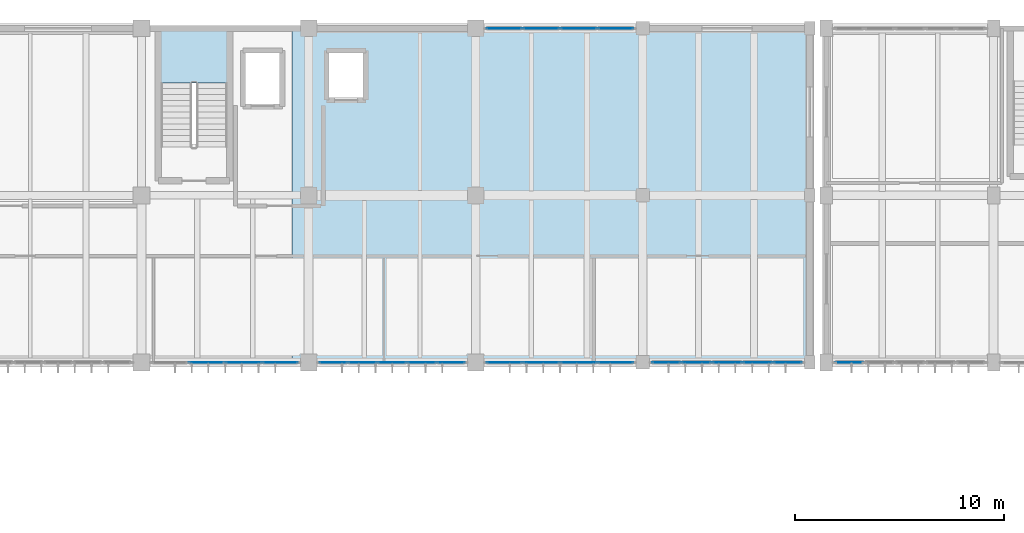
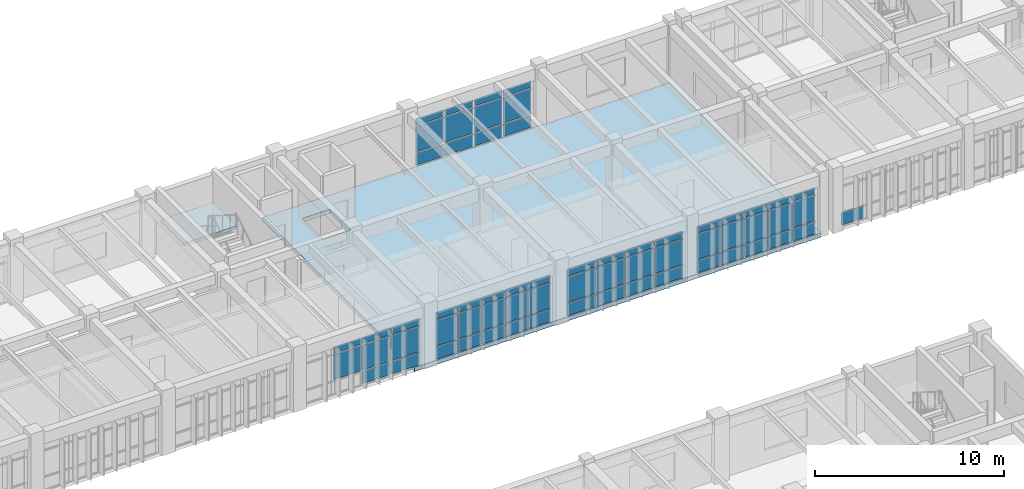
# One storey, part 36 of 67: 63 plates, 2 slabs, 7 elements without a shape of their own.
"""IFC4 building model written with IfcOpenShell, lengths in metres."""

from ifc_helpers import new_model, si_unit, direction, frame, origin, origin_2d, place, context, subcontext, project, spatial, polyline, rectangle, outline, extrude, material, layer, layer_set, type_object, element, aggregate, save


model = new_model("IFC4")

# Units and contexts
model_context = context("Model", 3, precision=1e-05, world=origin(), true_north=direction((0.0, 1.0)))
body_context = subcontext(model_context, "Body", "Model", "MODEL_VIEW")
ifc_project = project(units=[si_unit("LENGTHUNIT", "METRE"), si_unit("AREAUNIT", "SQUARE_METRE"), si_unit("VOLUMEUNIT", "CUBIC_METRE"), si_unit("PLANEANGLEUNIT", "RADIAN"), si_unit("MASSUNIT", "GRAM", prefix="KILO")], contexts=[model_context])

# Site, building, storey
site_placement = place(None, origin())
site = spatial("IfcSite", under=ifc_project, at=site_placement, CompositionType="ELEMENT")
building_placement = place(site_placement, origin())
building = spatial("IfcBuilding", under=site, at=building_placement, Name="Tlaxcora Railside Police Headquarters", CompositionType="ELEMENT")
storey_placement = place(building_placement, frame((0.0, 0.0, 4.800048828125)))
storey = spatial("IfcBuildingStorey", under=building, at=storey_placement, Name="L01", CompositionType="ELEMENT", Elevation=4.800048828125)

# Curtain wall, plates
ifc_material_1 = material(Name="Thermally broken low-E insulated glazing", Category="glass")
curtain_wall_type_1 = type_object("IfcCurtainWallType", Name="Unitised Curtain Wall Assembly CW-23", PredefinedType="NOTDEFINED", material=ifc_material_1)
curtain_wall_1_placement = place(storey_placement, origin())
curtain_wall_1 = element("IfcCurtainWall", 1, at=curtain_wall_1_placement, inside=storey, type_object=curtain_wall_type_1, Name="V5 L01 curtain wall 40", PredefinedType="NOTDEFINED")
ifc_layer_1 = layer(ifc_material_1, 0.0400390625, Name="Thermally broken low-E insulated glazing")
ifc_layer_set_1 = layer_set([ifc_layer_1], Name="Thermally broken low-E insulated glazing")
plate_type_1 = type_object("IfcPlateType", Name="Curtain Wall Infill Panel CW-17", PredefinedType="CURTAIN_PANEL", material=ifc_layer_set_1)
plate_1_placement = place(storey_placement, frame((95.12744140625, 76.800048828125, 0.080078125), z_axis=(0.0, 0.0, 1.0), x_axis=(1.0, 0.0, 0.0)))
plate_1 = element("IfcPlate", 2, at=plate_1_placement, type_object=plate_type_1, Name="CW panel 1.1", PredefinedType="CURTAIN_PANEL", context=body_context, shape_type="SweptSolid", body=[
    extrude(rectangle(XDim=1.344970703125, YDim=0.0400390625, at=origin_2d()), origin(), (0.0, 0.0, 1.0), 0.780029296875),
])
plate_2_placement = place(storey_placement, frame((95.12744140625, 76.800048828125, 0.93994140625), z_axis=(0.0, 0.0, 1.0), x_axis=(1.0, 0.0, 0.0)))
plate_2 = element("IfcPlate", 3, at=plate_2_placement, type_object=plate_type_1, Name="CW panel 1.2", PredefinedType="CURTAIN_PANEL", context=body_context, shape_type="SweptSolid", body=[
    extrude(rectangle(XDim=1.344970703125, YDim=0.0400390625, at=origin_2d()), origin(), (0.0, 0.0, 1.0), 1.6298828125),
])
plate_3_placement = place(storey_placement, frame((95.12744140625, 76.800048828125, 2.64990234375), z_axis=(0.0, 0.0, 1.0), x_axis=(1.0, 0.0, 0.0)))
plate_3 = element("IfcPlate", 4, at=plate_3_placement, type_object=plate_type_1, Name="CW panel 1.3", PredefinedType="CURTAIN_PANEL", context=body_context, shape_type="SweptSolid", body=[
    extrude(rectangle(XDim=1.344970703125, YDim=0.0400390625, at=origin_2d()), origin(), (0.0, 0.0, 1.0), 0.409912109375),
])
plate_4_placement = place(storey_placement, frame((96.572509765625, 76.800048828125, 0.080078125), z_axis=(0.0, 0.0, 1.0), x_axis=(1.0, 0.0, 0.0)))
plate_4 = element("IfcPlate", 5, at=plate_4_placement, type_object=plate_type_1, Name="CW panel 2.1", PredefinedType="CURTAIN_PANEL", context=body_context, shape_type="SweptSolid", body=[
    extrude(rectangle(XDim=1.385009765625, YDim=0.0400390625, at=origin_2d()), origin(), (0.0, 0.0, 1.0), 0.780029296875),
])
plate_5_placement = place(storey_placement, frame((96.572509765625, 76.800048828125, 0.93994140625), z_axis=(0.0, 0.0, 1.0), x_axis=(1.0, 0.0, 0.0)))
plate_5 = element("IfcPlate", 6, at=plate_5_placement, type_object=plate_type_1, Name="CW panel 2.2", PredefinedType="CURTAIN_PANEL", context=body_context, shape_type="SweptSolid", body=[
    extrude(rectangle(XDim=1.385009765625, YDim=0.0400390625, at=origin_2d()), origin(), (0.0, 0.0, 1.0), 1.6298828125),
])
plate_6_placement = place(storey_placement, frame((96.572509765625, 76.800048828125, 2.64990234375), z_axis=(0.0, 0.0, 1.0), x_axis=(1.0, 0.0, 0.0)))
plate_6 = element("IfcPlate", 7, at=plate_6_placement, type_object=plate_type_1, Name="CW panel 2.3", PredefinedType="CURTAIN_PANEL", context=body_context, shape_type="SweptSolid", body=[
    extrude(rectangle(XDim=1.385009765625, YDim=0.0400390625, at=origin_2d()), origin(), (0.0, 0.0, 1.0), 0.409912109375),
])
plate_7_placement = place(storey_placement, frame((98.03759765625, 76.800048828125, 0.080078125), z_axis=(0.0, 0.0, 1.0), x_axis=(1.0, 0.0, 0.0)))
plate_7 = element("IfcPlate", 8, at=plate_7_placement, type_object=plate_type_1, Name="CW panel 3.1", PredefinedType="CURTAIN_PANEL", context=body_context, shape_type="SweptSolid", body=[
    extrude(rectangle(XDim=1.385009765625, YDim=0.0400390625, at=origin_2d()), origin(), (0.0, 0.0, 1.0), 0.780029296875),
])
plate_8_placement = place(storey_placement, frame((98.03759765625, 76.800048828125, 0.93994140625), z_axis=(0.0, 0.0, 1.0), x_axis=(1.0, 0.0, 0.0)))
plate_8 = element("IfcPlate", 9, at=plate_8_placement, type_object=plate_type_1, Name="CW panel 3.2", PredefinedType="CURTAIN_PANEL", context=body_context, shape_type="SweptSolid", body=[
    extrude(rectangle(XDim=1.385009765625, YDim=0.0400390625, at=origin_2d()), origin(), (0.0, 0.0, 1.0), 1.6298828125),
])
plate_9_placement = place(storey_placement, frame((98.03759765625, 76.800048828125, 2.64990234375), z_axis=(0.0, 0.0, 1.0), x_axis=(1.0, 0.0, 0.0)))
plate_9 = element("IfcPlate", 10, at=plate_9_placement, type_object=plate_type_1, Name="CW panel 3.3", PredefinedType="CURTAIN_PANEL", context=body_context, shape_type="SweptSolid", body=[
    extrude(rectangle(XDim=1.385009765625, YDim=0.0400390625, at=origin_2d()), origin(), (0.0, 0.0, 1.0), 0.409912109375),
])
plate_10_placement = place(storey_placement, frame((99.50244140625, 76.800048828125, 0.080078125), z_axis=(0.0, 0.0, 1.0), x_axis=(1.0, 0.0, 0.0)))
plate_10 = element("IfcPlate", 11, at=plate_10_placement, type_object=plate_type_1, Name="CW panel 4.1", PredefinedType="CURTAIN_PANEL", context=body_context, shape_type="SweptSolid", body=[
    extrude(rectangle(XDim=1.385009765625, YDim=0.0400390625, at=origin_2d()), origin(), (0.0, 0.0, 1.0), 0.780029296875),
])
plate_11_placement = place(storey_placement, frame((99.50244140625, 76.800048828125, 0.93994140625), z_axis=(0.0, 0.0, 1.0), x_axis=(1.0, 0.0, 0.0)))
plate_11 = element("IfcPlate", 12, at=plate_11_placement, type_object=plate_type_1, Name="CW panel 4.2", PredefinedType="CURTAIN_PANEL", context=body_context, shape_type="SweptSolid", body=[
    extrude(rectangle(XDim=1.385009765625, YDim=0.0400390625, at=origin_2d()), origin(), (0.0, 0.0, 1.0), 1.6298828125),
])
plate_12_placement = place(storey_placement, frame((99.50244140625, 76.800048828125, 2.64990234375), z_axis=(0.0, 0.0, 1.0), x_axis=(1.0, 0.0, 0.0)))
plate_12 = element("IfcPlate", 13, at=plate_12_placement, type_object=plate_type_1, Name="CW panel 4.3", PredefinedType="CURTAIN_PANEL", context=body_context, shape_type="SweptSolid", body=[
    extrude(rectangle(XDim=1.385009765625, YDim=0.0400390625, at=origin_2d()), origin(), (0.0, 0.0, 1.0), 0.409912109375),
])
plate_13_placement = place(storey_placement, frame((100.947509765625, 76.800048828125, 0.080078125), z_axis=(0.0, 0.0, 1.0), x_axis=(1.0, 0.0, 0.0)))
plate_13 = element("IfcPlate", 14, at=plate_13_placement, type_object=plate_type_1, Name="CW panel 5.1", PredefinedType="CURTAIN_PANEL", context=body_context, shape_type="SweptSolid", body=[
    extrude(rectangle(XDim=1.344970703125, YDim=0.0400390625, at=origin_2d()), origin(), (0.0, 0.0, 1.0), 0.780029296875),
])
plate_14_placement = place(storey_placement, frame((100.947509765625, 76.800048828125, 0.93994140625), z_axis=(0.0, 0.0, 1.0), x_axis=(1.0, 0.0, 0.0)))
plate_14 = element("IfcPlate", 15, at=plate_14_placement, type_object=plate_type_1, Name="CW panel 5.2", PredefinedType="CURTAIN_PANEL", context=body_context, shape_type="SweptSolid", body=[
    extrude(rectangle(XDim=1.344970703125, YDim=0.0400390625, at=origin_2d()), origin(), (0.0, 0.0, 1.0), 1.6298828125),
])
plate_15_placement = place(storey_placement, frame((100.947509765625, 76.800048828125, 2.64990234375), z_axis=(0.0, 0.0, 1.0), x_axis=(1.0, 0.0, 0.0)))
plate_15 = element("IfcPlate", 16, at=plate_15_placement, type_object=plate_type_1, Name="CW panel 5.3", PredefinedType="CURTAIN_PANEL", context=body_context, shape_type="SweptSolid", body=[
    extrude(rectangle(XDim=1.344970703125, YDim=0.0400390625, at=origin_2d()), origin(), (0.0, 0.0, 1.0), 0.409912109375),
])
aggregate(curtain_wall_1, [plate_1, plate_2, plate_3, plate_4, plate_5, plate_6, plate_7, plate_8, plate_9, plate_10, plate_11, plate_12, plate_13, plate_14, plate_15])

# Curtain wall, plate
curtain_wall_2_placement = place(storey_placement, origin())
curtain_wall_2 = element("IfcCurtainWall", 17, at=curtain_wall_2_placement, inside=storey, type_object=curtain_wall_type_1, Name="V6 L01 curtain wall 144", PredefinedType="NOTDEFINED")
plate_16_placement = place(storey_placement, frame((103.89990234375, 76.800048828125, 0.080078125), z_axis=(0.0, 0.0, 1.0), x_axis=(1.0, 0.0, 0.0)))
plate_16 = element("IfcPlate", 18, at=plate_16_placement, type_object=plate_type_1, Name="CW panel 1.1", PredefinedType="CURTAIN_PANEL", context=body_context, shape_type="SweptSolid", body=[
    extrude(rectangle(XDim=1.340087890625, YDim=0.0400390625, at=origin_2d()), origin(), (0.0, 0.0, 1.0), 0.780029296875),
])
aggregate(curtain_wall_2, [plate_16])

# Curtain wall, plates
curtain_wall_type_2 = type_object("IfcCurtainWallType", Name="Unitised Curtain Wall Assembly CW-15", PredefinedType="NOTDEFINED", material=ifc_material_1)
curtain_wall_3_placement = place(storey_placement, origin())
curtain_wall_3 = element("IfcCurtainWall", 19, at=curtain_wall_3_placement, inside=storey, type_object=curtain_wall_type_2, Name="V5 L01 curtain wall 38", PredefinedType="NOTDEFINED")
ifc_layer_2 = layer(ifc_material_1, 0.031982421875, Name="Thermally broken low-E insulated glazing")
ifc_layer_set_2 = layer_set([ifc_layer_2], Name="Thermally broken low-E insulated glazing")
plate_type_2 = type_object("IfcPlateType", Name="Curtain Wall Infill Panel CW-41", PredefinedType="CURTAIN_PANEL", material=ifc_layer_set_2)
plate_17_placement = place(storey_placement, frame((79.1787109375, 76.800048828125, 0.074951171875), z_axis=(0.0, 0.0, 1.0), x_axis=(1.0, 0.0, 0.0)))
plate_17 = element("IfcPlate", 20, at=plate_17_placement, type_object=plate_type_2, Name="CW panel 1.1", PredefinedType="CURTAIN_PANEL", context=body_context, shape_type="SweptSolid", body=[
    extrude(rectangle(XDim=1.3076171875, YDim=0.031982421875, at=origin_2d()), origin(), (0.0, 0.0, 1.0), 0.78759765625),
])
plate_18_placement = place(storey_placement, frame((79.1787109375, 76.800048828125, 0.9375), z_axis=(0.0, 0.0, 1.0), x_axis=(1.0, 0.0, 0.0)))
plate_18 = element("IfcPlate", 21, at=plate_18_placement, type_object=plate_type_2, Name="CW panel 1.2", PredefinedType="CURTAIN_PANEL", context=body_context, shape_type="SweptSolid", body=[
    extrude(rectangle(XDim=1.3076171875, YDim=0.031982421875, at=origin_2d()), origin(), (0.0, 0.0, 1.0), 1.635009765625),
])
plate_19_placement = place(storey_placement, frame((79.1787109375, 76.800048828125, 2.6474609375), z_axis=(0.0, 0.0, 1.0), x_axis=(1.0, 0.0, 0.0)))
plate_19 = element("IfcPlate", 22, at=plate_19_placement, type_object=plate_type_2, Name="CW panel 1.3", PredefinedType="CURTAIN_PANEL", context=body_context, shape_type="SweptSolid", body=[
    extrude(rectangle(XDim=1.3076171875, YDim=0.031982421875, at=origin_2d()), origin(), (0.0, 0.0, 1.0), 0.41748046875),
])
plate_20_placement = place(storey_placement, frame((80.580078125, 76.800048828125, 0.074951171875), z_axis=(0.0, 0.0, 1.0), x_axis=(1.0, 0.0, 0.0)))
plate_20 = element("IfcPlate", 23, at=plate_20_placement, type_object=plate_type_2, Name="CW panel 2.1", PredefinedType="CURTAIN_PANEL", context=body_context, shape_type="SweptSolid", body=[
    extrude(rectangle(XDim=1.344970703125, YDim=0.031982421875, at=origin_2d()), origin(), (0.0, 0.0, 1.0), 0.78759765625),
])
plate_21_placement = place(storey_placement, frame((80.580078125, 76.800048828125, 0.9375), z_axis=(0.0, 0.0, 1.0), x_axis=(1.0, 0.0, 0.0)))
plate_21 = element("IfcPlate", 24, at=plate_21_placement, type_object=plate_type_2, Name="CW panel 2.2", PredefinedType="CURTAIN_PANEL", context=body_context, shape_type="SweptSolid", body=[
    extrude(rectangle(XDim=1.344970703125, YDim=0.031982421875, at=origin_2d()), origin(), (0.0, 0.0, 1.0), 1.635009765625),
])
plate_22_placement = place(storey_placement, frame((80.580078125, 76.800048828125, 2.6474609375), z_axis=(0.0, 0.0, 1.0), x_axis=(1.0, 0.0, 0.0)))
plate_22 = element("IfcPlate", 25, at=plate_22_placement, type_object=plate_type_2, Name="CW panel 2.3", PredefinedType="CURTAIN_PANEL", context=body_context, shape_type="SweptSolid", body=[
    extrude(rectangle(XDim=1.344970703125, YDim=0.031982421875, at=origin_2d()), origin(), (0.0, 0.0, 1.0), 0.41748046875),
])
plate_23_placement = place(storey_placement, frame((82.0, 76.800048828125, 0.074951171875), z_axis=(0.0, 0.0, 1.0), x_axis=(1.0, 0.0, 0.0)))
plate_23 = element("IfcPlate", 26, at=plate_23_placement, type_object=plate_type_2, Name="CW panel 3.1", PredefinedType="CURTAIN_PANEL", context=body_context, shape_type="SweptSolid", body=[
    extrude(rectangle(XDim=1.344970703125, YDim=0.031982421875, at=origin_2d()), origin(), (0.0, 0.0, 1.0), 0.78759765625),
])
plate_24_placement = place(storey_placement, frame((82.0, 76.800048828125, 0.9375), z_axis=(0.0, 0.0, 1.0), x_axis=(1.0, 0.0, 0.0)))
plate_24 = element("IfcPlate", 27, at=plate_24_placement, type_object=plate_type_2, Name="CW panel 3.2", PredefinedType="CURTAIN_PANEL", context=body_context, shape_type="SweptSolid", body=[
    extrude(rectangle(XDim=1.344970703125, YDim=0.031982421875, at=origin_2d()), origin(), (0.0, 0.0, 1.0), 1.635009765625),
])
plate_25_placement = place(storey_placement, frame((82.0, 76.800048828125, 2.6474609375), z_axis=(0.0, 0.0, 1.0), x_axis=(1.0, 0.0, 0.0)))
plate_25 = element("IfcPlate", 28, at=plate_25_placement, type_object=plate_type_2, Name="CW panel 3.3", PredefinedType="CURTAIN_PANEL", context=body_context, shape_type="SweptSolid", body=[
    extrude(rectangle(XDim=1.344970703125, YDim=0.031982421875, at=origin_2d()), origin(), (0.0, 0.0, 1.0), 0.41748046875),
])
plate_26_placement = place(storey_placement, frame((83.419921875, 76.800048828125, 0.074951171875), z_axis=(0.0, 0.0, 1.0), x_axis=(1.0, 0.0, 0.0)))
plate_26 = element("IfcPlate", 29, at=plate_26_placement, type_object=plate_type_2, Name="CW panel 4.1", PredefinedType="CURTAIN_PANEL", context=body_context, shape_type="SweptSolid", body=[
    extrude(rectangle(XDim=1.344970703125, YDim=0.031982421875, at=origin_2d()), origin(), (0.0, 0.0, 1.0), 0.78759765625),
])
plate_27_placement = place(storey_placement, frame((83.419921875, 76.800048828125, 0.9375), z_axis=(0.0, 0.0, 1.0), x_axis=(1.0, 0.0, 0.0)))
plate_27 = element("IfcPlate", 30, at=plate_27_placement, type_object=plate_type_2, Name="CW panel 4.2", PredefinedType="CURTAIN_PANEL", context=body_context, shape_type="SweptSolid", body=[
    extrude(rectangle(XDim=1.344970703125, YDim=0.031982421875, at=origin_2d()), origin(), (0.0, 0.0, 1.0), 1.635009765625),
])
plate_28_placement = place(storey_placement, frame((83.419921875, 76.800048828125, 2.6474609375), z_axis=(0.0, 0.0, 1.0), x_axis=(1.0, 0.0, 0.0)))
plate_28 = element("IfcPlate", 31, at=plate_28_placement, type_object=plate_type_2, Name="CW panel 4.3", PredefinedType="CURTAIN_PANEL", context=body_context, shape_type="SweptSolid", body=[
    extrude(rectangle(XDim=1.344970703125, YDim=0.031982421875, at=origin_2d()), origin(), (0.0, 0.0, 1.0), 0.41748046875),
])
plate_29_placement = place(storey_placement, frame((84.8212890625, 76.800048828125, 0.074951171875), z_axis=(0.0, 0.0, 1.0), x_axis=(1.0, 0.0, 0.0)))
plate_29 = element("IfcPlate", 32, at=plate_29_placement, type_object=plate_type_2, Name="CW panel 5.1", PredefinedType="CURTAIN_PANEL", context=body_context, shape_type="SweptSolid", body=[
    extrude(rectangle(XDim=1.3076171875, YDim=0.031982421875, at=origin_2d()), origin(), (0.0, 0.0, 1.0), 0.78759765625),
])
plate_30_placement = place(storey_placement, frame((84.8212890625, 76.800048828125, 0.9375), z_axis=(0.0, 0.0, 1.0), x_axis=(1.0, 0.0, 0.0)))
plate_30 = element("IfcPlate", 33, at=plate_30_placement, type_object=plate_type_2, Name="CW panel 5.2", PredefinedType="CURTAIN_PANEL", context=body_context, shape_type="SweptSolid", body=[
    extrude(rectangle(XDim=1.3076171875, YDim=0.031982421875, at=origin_2d()), origin(), (0.0, 0.0, 1.0), 1.635009765625),
])
plate_31_placement = place(storey_placement, frame((84.8212890625, 76.800048828125, 2.6474609375), z_axis=(0.0, 0.0, 1.0), x_axis=(1.0, 0.0, 0.0)))
plate_31 = element("IfcPlate", 34, at=plate_31_placement, type_object=plate_type_2, Name="CW panel 5.3", PredefinedType="CURTAIN_PANEL", context=body_context, shape_type="SweptSolid", body=[
    extrude(rectangle(XDim=1.3076171875, YDim=0.031982421875, at=origin_2d()), origin(), (0.0, 0.0, 1.0), 0.41748046875),
])
aggregate(curtain_wall_3, [plate_17, plate_18, plate_19, plate_20, plate_21, plate_22, plate_23, plate_24, plate_25, plate_26, plate_27, plate_28, plate_29, plate_30, plate_31])

curtain_wall_type_3 = type_object("IfcCurtainWallType", Name="Unitised Curtain Wall Assembly CW-83", PredefinedType="NOTDEFINED", material=ifc_material_1)
curtain_wall_4_placement = place(storey_placement, origin())
curtain_wall_4 = element("IfcCurtainWall", 35, at=curtain_wall_4_placement, inside=storey, type_object=curtain_wall_type_3, Name="V5 L01 curtain wall 39", PredefinedType="NOTDEFINED")
ifc_layer_3 = layer(ifc_material_1, 0.035888671875, Name="Thermally broken low-E insulated glazing")
ifc_layer_set_3 = layer_set([ifc_layer_3], Name="Thermally broken low-E insulated glazing")
plate_type_3 = type_object("IfcPlateType", Name="Curtain Wall Infill Panel CW-72", PredefinedType="CURTAIN_PANEL", material=ifc_layer_set_3)
plate_32_placement = place(storey_placement, frame((87.366943359375, 76.800048828125, 0.080078125), z_axis=(0.0, 0.0, 1.0), x_axis=(1.0, 0.0, 0.0)))
plate_32 = element("IfcPlate", 36, at=plate_32_placement, type_object=plate_type_3, Name="CW panel 1.1", PredefinedType="CURTAIN_PANEL", context=body_context, shape_type="SweptSolid", body=[
    extrude(rectangle(XDim=1.673828125, YDim=0.035888671875, at=origin_2d()), origin(), (0.0, 0.0, 1.0), 0.780029296875),
])
plate_33_placement = place(storey_placement, frame((87.366943359375, 76.800048828125, 0.93994140625), z_axis=(0.0, 0.0, 1.0), x_axis=(1.0, 0.0, 0.0)))
plate_33 = element("IfcPlate", 37, at=plate_33_placement, type_object=plate_type_3, Name="CW panel 1.2", PredefinedType="CURTAIN_PANEL", context=body_context, shape_type="SweptSolid", body=[
    extrude(rectangle(XDim=1.673828125, YDim=0.035888671875, at=origin_2d()), origin(), (0.0, 0.0, 1.0), 1.6298828125),
])
plate_34_placement = place(storey_placement, frame((87.366943359375, 76.800048828125, 2.64990234375), z_axis=(0.0, 0.0, 1.0), x_axis=(1.0, 0.0, 0.0)))
plate_34 = element("IfcPlate", 38, at=plate_34_placement, type_object=plate_type_3, Name="CW panel 1.3", PredefinedType="CURTAIN_PANEL", context=body_context, shape_type="SweptSolid", body=[
    extrude(rectangle(XDim=1.673828125, YDim=0.035888671875, at=origin_2d()), origin(), (0.0, 0.0, 1.0), 0.409912109375),
])
plate_35_placement = place(storey_placement, frame((89.140625, 76.800048828125, 0.080078125), z_axis=(0.0, 0.0, 1.0), x_axis=(1.0, 0.0, 0.0)))
plate_35 = element("IfcPlate", 39, at=plate_35_placement, type_object=plate_type_3, Name="CW panel 2.1", PredefinedType="CURTAIN_PANEL", context=body_context, shape_type="SweptSolid", body=[
    extrude(rectangle(XDim=1.7138671875, YDim=0.035888671875, at=origin_2d()), origin(), (0.0, 0.0, 1.0), 0.780029296875),
])
plate_36_placement = place(storey_placement, frame((89.140625, 76.800048828125, 0.93994140625), z_axis=(0.0, 0.0, 1.0), x_axis=(1.0, 0.0, 0.0)))
plate_36 = element("IfcPlate", 40, at=plate_36_placement, type_object=plate_type_3, Name="CW panel 2.2", PredefinedType="CURTAIN_PANEL", context=body_context, shape_type="SweptSolid", body=[
    extrude(rectangle(XDim=1.7138671875, YDim=0.035888671875, at=origin_2d()), origin(), (0.0, 0.0, 1.0), 1.6298828125),
])
plate_37_placement = place(storey_placement, frame((89.140625, 76.800048828125, 2.64990234375), z_axis=(0.0, 0.0, 1.0), x_axis=(1.0, 0.0, 0.0)))
plate_37 = element("IfcPlate", 41, at=plate_37_placement, type_object=plate_type_3, Name="CW panel 2.3", PredefinedType="CURTAIN_PANEL", context=body_context, shape_type="SweptSolid", body=[
    extrude(rectangle(XDim=1.7138671875, YDim=0.035888671875, at=origin_2d()), origin(), (0.0, 0.0, 1.0), 0.409912109375),
])
plate_38_placement = place(storey_placement, frame((90.934326171875, 76.800048828125, 0.080078125), z_axis=(0.0, 0.0, 1.0), x_axis=(1.0, 0.0, 0.0)))
plate_38 = element("IfcPlate", 42, at=plate_38_placement, type_object=plate_type_3, Name="CW panel 3.1", PredefinedType="CURTAIN_PANEL", context=body_context, shape_type="SweptSolid", body=[
    extrude(rectangle(XDim=1.7138671875, YDim=0.035888671875, at=origin_2d()), origin(), (0.0, 0.0, 1.0), 0.780029296875),
])
plate_39_placement = place(storey_placement, frame((90.934326171875, 76.800048828125, 0.93994140625), z_axis=(0.0, 0.0, 1.0), x_axis=(1.0, 0.0, 0.0)))
plate_39 = element("IfcPlate", 43, at=plate_39_placement, type_object=plate_type_3, Name="CW panel 3.2", PredefinedType="CURTAIN_PANEL", context=body_context, shape_type="SweptSolid", body=[
    extrude(rectangle(XDim=1.7138671875, YDim=0.035888671875, at=origin_2d()), origin(), (0.0, 0.0, 1.0), 1.6298828125),
])
plate_40_placement = place(storey_placement, frame((90.934326171875, 76.800048828125, 2.64990234375), z_axis=(0.0, 0.0, 1.0), x_axis=(1.0, 0.0, 0.0)))
plate_40 = element("IfcPlate", 44, at=plate_40_placement, type_object=plate_type_3, Name="CW panel 3.3", PredefinedType="CURTAIN_PANEL", context=body_context, shape_type="SweptSolid", body=[
    extrude(rectangle(XDim=1.7138671875, YDim=0.035888671875, at=origin_2d()), origin(), (0.0, 0.0, 1.0), 0.409912109375),
])
plate_41_placement = place(storey_placement, frame((92.7080078125, 76.800048828125, 0.080078125), z_axis=(0.0, 0.0, 1.0), x_axis=(1.0, 0.0, 0.0)))
plate_41 = element("IfcPlate", 45, at=plate_41_placement, type_object=plate_type_3, Name="CW panel 4.1", PredefinedType="CURTAIN_PANEL", context=body_context, shape_type="SweptSolid", body=[
    extrude(rectangle(XDim=1.673828125, YDim=0.035888671875, at=origin_2d()), origin(), (0.0, 0.0, 1.0), 0.780029296875),
])
plate_42_placement = place(storey_placement, frame((92.7080078125, 76.800048828125, 0.93994140625), z_axis=(0.0, 0.0, 1.0), x_axis=(1.0, 0.0, 0.0)))
plate_42 = element("IfcPlate", 46, at=plate_42_placement, type_object=plate_type_3, Name="CW panel 4.2", PredefinedType="CURTAIN_PANEL", context=body_context, shape_type="SweptSolid", body=[
    extrude(rectangle(XDim=1.673828125, YDim=0.035888671875, at=origin_2d()), origin(), (0.0, 0.0, 1.0), 1.6298828125),
])
plate_43_placement = place(storey_placement, frame((92.7080078125, 76.800048828125, 2.64990234375), z_axis=(0.0, 0.0, 1.0), x_axis=(1.0, 0.0, 0.0)))
plate_43 = element("IfcPlate", 47, at=plate_43_placement, type_object=plate_type_3, Name="CW panel 4.3", PredefinedType="CURTAIN_PANEL", context=body_context, shape_type="SweptSolid", body=[
    extrude(rectangle(XDim=1.673828125, YDim=0.035888671875, at=origin_2d()), origin(), (0.0, 0.0, 1.0), 0.409912109375),
])
aggregate(curtain_wall_4, [plate_32, plate_33, plate_34, plate_35, plate_36, plate_37, plate_38, plate_39, plate_40, plate_41, plate_42, plate_43])

curtain_wall_type_4 = type_object("IfcCurtainWallType", Name="Unitised Curtain Wall Assembly CW-38", PredefinedType="NOTDEFINED", material=ifc_material_1)
curtain_wall_5_placement = place(storey_placement, origin())
curtain_wall_5 = element("IfcCurtainWall", 48, at=curtain_wall_5_placement, inside=storey, type_object=curtain_wall_type_4, Name="V5 L01 curtain wall 37", PredefinedType="NOTDEFINED")
ifc_layer_4 = layer(ifc_material_1, 0.028076171875, Name="Thermally broken low-E insulated glazing")
ifc_layer_set_4 = layer_set([ifc_layer_4], Name="Thermally broken low-E insulated glazing")
plate_type_4 = type_object("IfcPlateType", Name="Curtain Wall Infill Panel CW-92", PredefinedType="CURTAIN_PANEL", material=ifc_layer_set_4)
plate_44_placement = place(storey_placement, frame((73.112548828125, 76.800048828125, 0.9375), z_axis=(0.0, 0.0, 1.0), x_axis=(1.0, 0.0, 0.0)))
plate_44 = element("IfcPlate", 49, at=plate_44_placement, type_object=plate_type_4, Name="CW panel 2.2", PredefinedType="CURTAIN_PANEL", context=body_context, shape_type="SweptSolid", body=[
    extrude(rectangle(XDim=1.699951171875, YDim=0.028076171875, at=origin_2d()), origin(), (0.0, 0.0, 1.0), 1.635009765625),
])
plate_45_placement = place(storey_placement, frame((73.112548828125, 76.800048828125, 2.6474609375), z_axis=(0.0, 0.0, 1.0), x_axis=(1.0, 0.0, 0.0)))
plate_45 = element("IfcPlate", 50, at=plate_45_placement, type_object=plate_type_4, Name="CW panel 2.3", PredefinedType="CURTAIN_PANEL", context=body_context, shape_type="SweptSolid", body=[
    extrude(rectangle(XDim=1.699951171875, YDim=0.028076171875, at=origin_2d()), origin(), (0.0, 0.0, 1.0), 0.41748046875),
])
plate_46_placement = place(storey_placement, frame((74.887451171875, 76.800048828125, 0.074951171875), z_axis=(0.0, 0.0, 1.0), x_axis=(1.0, 0.0, 0.0)))
plate_46 = element("IfcPlate", 51, at=plate_46_placement, type_object=plate_type_4, Name="CW panel 3.1", PredefinedType="CURTAIN_PANEL", context=body_context, shape_type="SweptSolid", body=[
    extrude(rectangle(XDim=1.699951171875, YDim=0.028076171875, at=origin_2d()), origin(), (0.0, 0.0, 1.0), 0.78759765625),
])
plate_47_placement = place(storey_placement, frame((74.887451171875, 76.800048828125, 0.9375), z_axis=(0.0, 0.0, 1.0), x_axis=(1.0, 0.0, 0.0)))
plate_47 = element("IfcPlate", 52, at=plate_47_placement, type_object=plate_type_4, Name="CW panel 3.2", PredefinedType="CURTAIN_PANEL", context=body_context, shape_type="SweptSolid", body=[
    extrude(rectangle(XDim=1.699951171875, YDim=0.028076171875, at=origin_2d()), origin(), (0.0, 0.0, 1.0), 1.635009765625),
])
plate_48_placement = place(storey_placement, frame((74.887451171875, 76.800048828125, 2.6474609375), z_axis=(0.0, 0.0, 1.0), x_axis=(1.0, 0.0, 0.0)))
plate_48 = element("IfcPlate", 53, at=plate_48_placement, type_object=plate_type_4, Name="CW panel 3.3", PredefinedType="CURTAIN_PANEL", context=body_context, shape_type="SweptSolid", body=[
    extrude(rectangle(XDim=1.699951171875, YDim=0.028076171875, at=origin_2d()), origin(), (0.0, 0.0, 1.0), 0.41748046875),
])
plate_49_placement = place(storey_placement, frame((76.643798828125, 76.800048828125, 0.074951171875), z_axis=(0.0, 0.0, 1.0), x_axis=(1.0, 0.0, 0.0)))
plate_49 = element("IfcPlate", 54, at=plate_49_placement, type_object=plate_type_4, Name="CW panel 4.1", PredefinedType="CURTAIN_PANEL", context=body_context, shape_type="SweptSolid", body=[
    extrude(rectangle(XDim=1.66259765625, YDim=0.028076171875, at=origin_2d()), origin(), (0.0, 0.0, 1.0), 0.78759765625),
])
plate_50_placement = place(storey_placement, frame((76.643798828125, 76.800048828125, 0.9375), z_axis=(0.0, 0.0, 1.0), x_axis=(1.0, 0.0, 0.0)))
plate_50 = element("IfcPlate", 55, at=plate_50_placement, type_object=plate_type_4, Name="CW panel 4.2", PredefinedType="CURTAIN_PANEL", context=body_context, shape_type="SweptSolid", body=[
    extrude(rectangle(XDim=1.66259765625, YDim=0.028076171875, at=origin_2d()), origin(), (0.0, 0.0, 1.0), 1.635009765625),
])
plate_51_placement = place(storey_placement, frame((76.643798828125, 76.800048828125, 2.6474609375), z_axis=(0.0, 0.0, 1.0), x_axis=(1.0, 0.0, 0.0)))
plate_51 = element("IfcPlate", 56, at=plate_51_placement, type_object=plate_type_4, Name="CW panel 4.3", PredefinedType="CURTAIN_PANEL", context=body_context, shape_type="SweptSolid", body=[
    extrude(rectangle(XDim=1.66259765625, YDim=0.028076171875, at=origin_2d()), origin(), (0.0, 0.0, 1.0), 0.41748046875),
])
aggregate(curtain_wall_5, [plate_44, plate_45, plate_46, plate_47, plate_48, plate_49, plate_50, plate_51])

curtain_wall_6_placement = place(storey_placement, origin())
curtain_wall_6 = element("IfcCurtainWall", 57, at=curtain_wall_6_placement, inside=storey, type_object=curtain_wall_type_4, Name="V5 L01 curtain wall 41", PredefinedType="NOTDEFINED")
plate_52_placement = place(storey_placement, frame((92.70947265625, 92.800048828125, 0.074951171875), z_axis=(0.0, 0.0, 1.0), x_axis=(-1.0, 0.0, 0.0)))
plate_52 = element("IfcPlate", 58, at=plate_52_placement, type_object=plate_type_4, Name="CW panel 1.1", PredefinedType="CURTAIN_PANEL", context=body_context, shape_type="SweptSolid", body=[
    extrude(rectangle(XDim=1.68115234375, YDim=0.028076171875, at=origin_2d()), origin(), (0.0, 0.0, 1.0), 0.78759765625),
])
plate_53_placement = place(storey_placement, frame((92.70947265625, 92.800048828125, 0.9375), z_axis=(0.0, 0.0, 1.0), x_axis=(-1.0, 0.0, 0.0)))
plate_53 = element("IfcPlate", 59, at=plate_53_placement, type_object=plate_type_4, Name="CW panel 1.2", PredefinedType="CURTAIN_PANEL", context=body_context, shape_type="SweptSolid", body=[
    extrude(rectangle(XDim=1.68115234375, YDim=0.028076171875, at=origin_2d()), origin(), (0.0, 0.0, 1.0), 1.635009765625),
])
plate_54_placement = place(storey_placement, frame((92.70947265625, 92.800048828125, 2.6474609375), z_axis=(0.0, 0.0, 1.0), x_axis=(-1.0, 0.0, 0.0)))
plate_54 = element("IfcPlate", 60, at=plate_54_placement, type_object=plate_type_4, Name="CW panel 1.3", PredefinedType="CURTAIN_PANEL", context=body_context, shape_type="SweptSolid", body=[
    extrude(rectangle(XDim=1.68115234375, YDim=0.028076171875, at=origin_2d()), origin(), (0.0, 0.0, 1.0), 0.41748046875),
])
plate_55_placement = place(storey_placement, frame((90.934326171875, 92.800048828125, 0.074951171875), z_axis=(0.0, 0.0, 1.0), x_axis=(-1.0, 0.0, 0.0)))
plate_55 = element("IfcPlate", 61, at=plate_55_placement, type_object=plate_type_4, Name="CW panel 2.1", PredefinedType="CURTAIN_PANEL", context=body_context, shape_type="SweptSolid", body=[
    extrude(rectangle(XDim=1.71875, YDim=0.028076171875, at=origin_2d()), origin(), (0.0, 0.0, 1.0), 0.78759765625),
])
plate_56_placement = place(storey_placement, frame((90.934326171875, 92.800048828125, 0.9375), z_axis=(0.0, 0.0, 1.0), x_axis=(-1.0, 0.0, 0.0)))
plate_56 = element("IfcPlate", 62, at=plate_56_placement, type_object=plate_type_4, Name="CW panel 2.2", PredefinedType="CURTAIN_PANEL", context=body_context, shape_type="SweptSolid", body=[
    extrude(rectangle(XDim=1.71875, YDim=0.028076171875, at=origin_2d()), origin(), (0.0, 0.0, 1.0), 1.635009765625),
])
plate_57_placement = place(storey_placement, frame((90.934326171875, 92.800048828125, 2.6474609375), z_axis=(0.0, 0.0, 1.0), x_axis=(-1.0, 0.0, 0.0)))
plate_57 = element("IfcPlate", 63, at=plate_57_placement, type_object=plate_type_4, Name="CW panel 2.3", PredefinedType="CURTAIN_PANEL", context=body_context, shape_type="SweptSolid", body=[
    extrude(rectangle(XDim=1.71875, YDim=0.028076171875, at=origin_2d()), origin(), (0.0, 0.0, 1.0), 0.41748046875),
])
plate_58_placement = place(storey_placement, frame((89.140625, 92.800048828125, 0.074951171875), z_axis=(0.0, 0.0, 1.0), x_axis=(-1.0, 0.0, 0.0)))
plate_58 = element("IfcPlate", 64, at=plate_58_placement, type_object=plate_type_4, Name="CW panel 3.1", PredefinedType="CURTAIN_PANEL", context=body_context, shape_type="SweptSolid", body=[
    extrude(rectangle(XDim=1.71875, YDim=0.028076171875, at=origin_2d()), origin(), (0.0, 0.0, 1.0), 0.78759765625),
])
plate_59_placement = place(storey_placement, frame((89.140625, 92.800048828125, 0.9375), z_axis=(0.0, 0.0, 1.0), x_axis=(-1.0, 0.0, 0.0)))
plate_59 = element("IfcPlate", 65, at=plate_59_placement, type_object=plate_type_4, Name="CW panel 3.2", PredefinedType="CURTAIN_PANEL", context=body_context, shape_type="SweptSolid", body=[
    extrude(rectangle(XDim=1.71875, YDim=0.028076171875, at=origin_2d()), origin(), (0.0, 0.0, 1.0), 1.635009765625),
])
plate_60_placement = place(storey_placement, frame((89.140625, 92.800048828125, 2.6474609375), z_axis=(0.0, 0.0, 1.0), x_axis=(-1.0, 0.0, 0.0)))
plate_60 = element("IfcPlate", 66, at=plate_60_placement, type_object=plate_type_4, Name="CW panel 3.3", PredefinedType="CURTAIN_PANEL", context=body_context, shape_type="SweptSolid", body=[
    extrude(rectangle(XDim=1.71875, YDim=0.028076171875, at=origin_2d()), origin(), (0.0, 0.0, 1.0), 0.41748046875),
])
plate_61_placement = place(storey_placement, frame((87.36572265625, 92.800048828125, 0.074951171875), z_axis=(0.0, 0.0, 1.0), x_axis=(-1.0, 0.0, 0.0)))
plate_61 = element("IfcPlate", 67, at=plate_61_placement, type_object=plate_type_4, Name="CW panel 4.1", PredefinedType="CURTAIN_PANEL", context=body_context, shape_type="SweptSolid", body=[
    extrude(rectangle(XDim=1.68115234375, YDim=0.028076171875, at=origin_2d()), origin(), (0.0, 0.0, 1.0), 0.78759765625),
])
plate_62_placement = place(storey_placement, frame((87.36572265625, 92.800048828125, 0.9375), z_axis=(0.0, 0.0, 1.0), x_axis=(-1.0, 0.0, 0.0)))
plate_62 = element("IfcPlate", 68, at=plate_62_placement, type_object=plate_type_4, Name="CW panel 4.2", PredefinedType="CURTAIN_PANEL", context=body_context, shape_type="SweptSolid", body=[
    extrude(rectangle(XDim=1.68115234375, YDim=0.028076171875, at=origin_2d()), origin(), (0.0, 0.0, 1.0), 1.635009765625),
])
plate_63_placement = place(storey_placement, frame((87.36572265625, 92.800048828125, 2.6474609375), z_axis=(0.0, 0.0, 1.0), x_axis=(-1.0, 0.0, 0.0)))
plate_63 = element("IfcPlate", 69, at=plate_63_placement, type_object=plate_type_4, Name="CW panel 4.3", PredefinedType="CURTAIN_PANEL", context=body_context, shape_type="SweptSolid", body=[
    extrude(rectangle(XDim=1.68115234375, YDim=0.028076171875, at=origin_2d()), origin(), (0.0, 0.0, 1.0), 0.41748046875),
])
aggregate(curtain_wall_6, [plate_52, plate_53, plate_54, plate_55, plate_56, plate_57, plate_58, plate_59, plate_60, plate_61, plate_62, plate_63])

# Stair, slab
ifc_material_2 = material(Name="Concrete C40/50", Category="concrete")
stair_type = type_object("IfcStairType", Name="Half-Turn Dog-Leg Stair ST-36", PredefinedType="HALF_TURN_STAIR", material=ifc_material_2)
stair_placement = place(storey_placement, origin())
stair = element("IfcStair", 70, at=stair_placement, inside=storey, type_object=stair_type, Name="L01 ST2", PredefinedType="HALF_TURN_STAIR")
ifc_material_3 = material(Name="Concrete C35/45", Category="concrete")
ifc_layer_5 = layer(ifc_material_3, 0.199951171875, Name="Concrete C35/45")
ifc_layer_set_5 = layer_set([ifc_layer_5], Name="Concrete C35/45")
slab_type_1 = type_object("IfcSlabType", Name="Stair Landing Slab SL-23", PredefinedType="LANDING", material=ifc_layer_set_5)
slab_1_placement = place(storey_placement, frame((0.0, 0.0, 1.89990234375)))
slab_1 = element("IfcSlab", 71, at=slab_1_placement, type_object=slab_type_1, Name="ST2 landing 1", PredefinedType="LANDING", context=body_context, shape_type="SweptSolid", body=[
    extrude(outline(polyline([(74.110107421875, 90.18994140625), (74.110107421875, 92.68994140625), (70.909912109375, 92.68994140625), (70.909912109375, 90.18994140625), (74.110107421875, 90.18994140625)])), origin(), (0.0, 0.0, 1.0), 0.199951171875),
])
aggregate(stair, [slab_1])

# Slab
ifc_layer_6 = layer(ifc_material_3, 0.27001953125, Name="Concrete C35/45")
ifc_layer_set_6 = layer_set([ifc_layer_6], Name="Concrete C35/45")
slab_type_2 = type_object("IfcSlabType", Name="Suspended Floor Slab SL-36", PredefinedType="FLOOR", material=ifc_layer_set_6)
slab_2_placement = place(storey_placement, frame((0.0, 0.0, -0.27001953125)))
element("IfcSlab", 72, at=slab_2_placement, inside=storey, type_object=slab_type_2, Name="V5 L01 floor slab zone 4", PredefinedType="FLOOR", context=body_context, shape_type="SweptSolid", body=[
    extrude(outline(polyline([(102.0, 92.800048828125), (77.199951171875, 92.800048828125), (77.199951171875, 76.800048828125), (102.0, 76.800048828125), (102.0, 92.800048828125)]), holes=[polyline([(80.64990234375, 89.449951171875), (78.949951171875, 89.449951171875), (78.949951171875, 91.64990234375), (80.64990234375, 91.64990234375), (80.64990234375, 89.449951171875)])]), origin(), (0.0, 0.0, 1.0), 0.27001953125),
])

save(model, "model.ifc")
